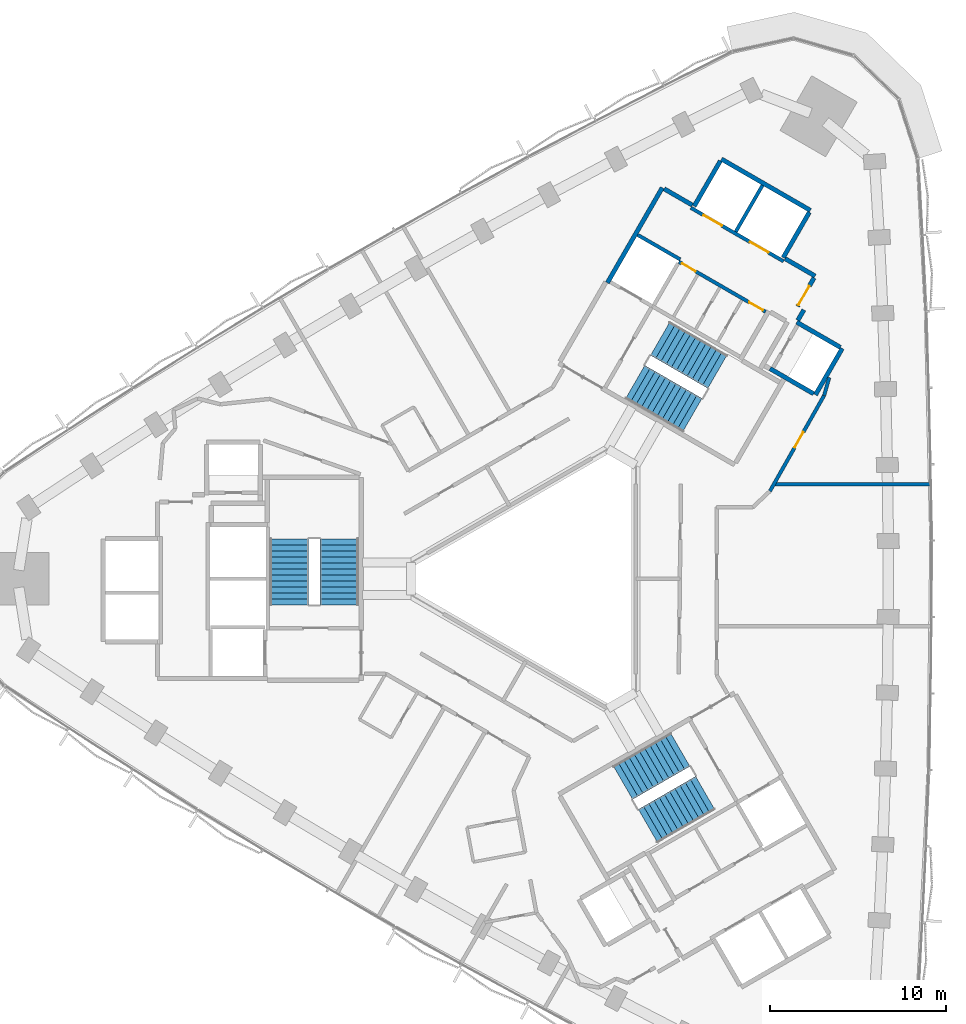
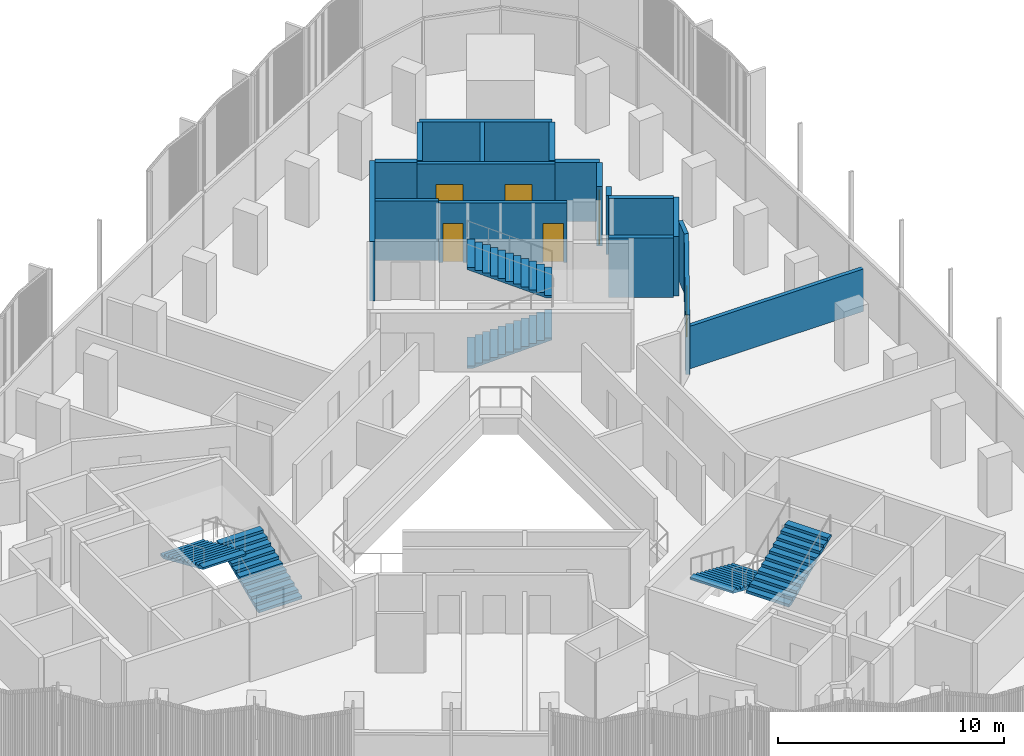
# One storey, part 11 of 14: 18 walls, 6 doors, 6 stair flights, 6 openings, 3 elements without a shape of their own.
"""IFC4 building model written with IfcOpenShell, lengths in metres."""

from ifc_helpers import new_model, si_unit, direction, frame, frame_2d, origin, place, context, subcontext, project, spatial, polyline, rectangle, outline, extrude, material, layer, layer_set, type_object, element, fill, aggregate, save


model = new_model("IFC4")

# Units and contexts
model_context = context("Model", 3, precision=1e-05, world=origin(), true_north=direction((0.0, 1.0)))
body_context = subcontext(model_context, "Body", "Model", "MODEL_VIEW")
ifc_project = project(units=[si_unit("LENGTHUNIT", "METRE"), si_unit("AREAUNIT", "SQUARE_METRE"), si_unit("VOLUMEUNIT", "CUBIC_METRE"), si_unit("PLANEANGLEUNIT", "RADIAN"), si_unit("MASSUNIT", "GRAM", prefix="KILO")], contexts=[model_context])

# Site, building, storey
site_placement = place(None, origin())
site = spatial("IfcSite", under=ifc_project, at=site_placement, CompositionType="ELEMENT")
building_placement = place(site_placement, origin())
building = spatial("IfcBuilding", under=site, at=building_placement, Name="Tamra Quay Hotel Tower", CompositionType="ELEMENT")
storey_placement = place(building_placement, frame((0.0, 0.0, 139.60009765625)))
storey = spatial("IfcBuildingStorey", under=building, at=storey_placement, Name="L34", CompositionType="ELEMENT", Elevation=139.60009765625)

# Wall, openings, doors
ifc_material_1 = material(Name="Concrete M70", Category="concrete")
ifc_layer_1 = layer(ifc_material_1, 0.199951171875)
ifc_layer_set_1 = layer_set([ifc_layer_1], Name="Concrete M70 core wall 200")
wall_type_1 = type_object("IfcWallType", Name="Concrete M70 core wall 200", PredefinedType="SHEAR", material=ifc_layer_set_1)
wall_1_placement = place(storey_placement, frame((13.209716796875, 18.07958984375, 0.0), z_axis=(0.0, 0.0, 1.0), x_axis=(-0.866030299012, 0.499991521122, 0.0)))
wall_1 = element("IfcWall", 1, at=wall_1_placement, inside=storey, type_object=wall_type_1, Name="CW2", PredefinedType="SHEAR", context=body_context, shape_type="SweptSolid", body=[
    extrude(rectangle(XDim=6.10009765625, YDim=0.199951171875, at=frame_2d((3.050048828125, 0.0))), origin(), (0.0, 0.0, 1.0), 3.199951171875),
])
opening_1_placement = place(wall_1_placement, frame((1.0, 0.0, 0.0)))
opening_1 = element("IfcOpeningElement", 2, at=opening_1_placement, cuts=wall_1, Name="Opening LD", PredefinedType="OPENING", context=body_context, shape_type="SweptSolid", body=[
    extrude(rectangle(XDim=1.199951171875, YDim=2.10009765625, at=frame_2d((0.60009765625, 1.050048828125))), frame((0.0, 0.10986328125, 0.0), z_axis=(0.0, -1.0, 0.0), x_axis=(1.0, 0.0, 0.0)), (0.0, 0.0, 1.0), 0.219970703125),
])
opening_2_placement = place(wall_1_placement, frame((4.05029296875, 0.0, 0.0)))
opening_2 = element("IfcOpeningElement", 3, at=opening_2_placement, cuts=wall_1, Name="Opening LD", PredefinedType="OPENING", context=body_context, shape_type="SweptSolid", body=[
    extrude(rectangle(XDim=1.199951171875, YDim=2.10009765625, at=frame_2d((0.60009765625, 1.050048828125))), frame((0.0, 0.10986328125, 0.0), z_axis=(0.0, -1.0, 0.0), x_axis=(1.0, 0.0, 0.0)), (0.0, 0.0, 1.0), 0.219970703125),
])
ifc_material_2 = material(Name="Landing door LD 1200 double door sliding")
door_type_1 = type_object("IfcDoorType", Name="Landing door LD 1200 double door sliding", OperationType="DOUBLE_DOOR_SLIDING", PredefinedType="DOOR", material=ifc_material_2)
door_1_placement = place(opening_1_placement, origin())
door_1 = element("IfcDoor", 4, at=door_1_placement, inside=storey, type_object=door_type_1, Name="LD", OperationType="DOUBLE_DOOR_SLIDING", OverallHeight=2.10009765625, OverallWidth=1.199951171875, PredefinedType="DOOR", context=body_context, shape_type="SweptSolid", body=[
    extrude(rectangle(XDim=1.199951171875, YDim=2.10009765625, at=frame_2d((0.60009765625, 1.050048828125))), frame((0.0, 0.02490234375, 0.0), z_axis=(0.0, -1.0, 0.0), x_axis=(1.0, 0.0, 0.0)), (0.0, 0.0, 1.0), 0.050048828125),
])
fill(opening_1, door_1)
door_2_placement = place(opening_2_placement, origin())
door_2 = element("IfcDoor", 5, at=door_2_placement, inside=storey, type_object=door_type_1, Name="LD", OperationType="DOUBLE_DOOR_SLIDING", OverallHeight=2.10009765625, OverallWidth=1.199951171875, PredefinedType="DOOR", context=body_context, shape_type="SweptSolid", body=[
    extrude(rectangle(XDim=1.199951171875, YDim=2.10009765625, at=frame_2d((0.60009765625, 1.050048828125))), frame((0.0, 0.02490234375, 0.0), z_axis=(0.0, -1.0, 0.0), x_axis=(1.0, 0.0, 0.0)), (0.0, 0.0, 1.0), 0.050048828125),
])
fill(opening_2, door_2)

wall_2_placement = place(storey_placement, frame((12.18505859375, 15.20703125, 0.0), z_axis=(0.0, 0.0, 1.0), x_axis=(-0.866020080793, 0.500009219579, 0.0)))
wall_2 = element("IfcWall", 6, at=wall_2_placement, inside=storey, type_object=wall_type_1, Name="CW2", PredefinedType="SHEAR", context=body_context, shape_type="SweptSolid", body=[
    extrude(rectangle(XDim=5.69921875, YDim=0.199951171875, at=frame_2d((2.849609375, 0.0))), origin(), (0.0, 0.0, 1.0), 3.199951171875),
])
opening_3_placement = place(wall_2_placement, frame((0.174072265625, 0.0, 0.0)))
opening_3 = element("IfcOpeningElement", 7, at=opening_3_placement, cuts=wall_2, Name="Opening D2", PredefinedType="OPENING", context=body_context, shape_type="SweptSolid", body=[
    extrude(rectangle(XDim=0.89990234375, YDim=2.10009765625, at=frame_2d((0.449951171875, 1.050048828125))), frame((0.0, 0.10986328125, 0.0), z_axis=(0.0, -1.0, 0.0), x_axis=(1.0, 0.0, 0.0)), (0.0, 0.0, 1.0), 0.219970703125),
])
opening_4_placement = place(wall_2_placement, frame((4.59912109375, 0.0, 0.0)))
opening_4 = element("IfcOpeningElement", 8, at=opening_4_placement, cuts=wall_2, Name="Opening D2", PredefinedType="OPENING", context=body_context, shape_type="SweptSolid", body=[
    extrude(rectangle(XDim=0.89990234375, YDim=2.10009765625, at=frame_2d((0.449951171875, 1.050048828125))), frame((0.0, 0.10986328125, 0.0), z_axis=(0.0, -1.0, 0.0), x_axis=(1.0, 0.0, 0.0)), (0.0, 0.0, 1.0), 0.219970703125),
])
ifc_material_3 = material(Name="Core door D2 900x2100 LH")
door_type_2 = type_object("IfcDoorType", Name="Core door D2 900x2100 LH", OperationType="NOTDEFINED", PredefinedType="DOOR", material=ifc_material_3)
door_3_placement = place(opening_3_placement, origin())
door_3 = element("IfcDoor", 9, at=door_3_placement, inside=storey, type_object=door_type_2, Name="D2", OperationType="SINGLE_SWING_LEFT", OverallHeight=2.10009765625, OverallWidth=0.89990234375, PredefinedType="DOOR", context=body_context, shape_type="SweptSolid", body=[
    extrude(rectangle(XDim=0.89990234375, YDim=2.10009765625, at=frame_2d((0.449951171875, 1.050048828125))), frame((0.0, 0.02490234375, 0.0), z_axis=(0.0, -1.0, 0.0), x_axis=(1.0, 0.0, 0.0)), (0.0, 0.0, 1.0), 0.050048828125),
])
fill(opening_3, door_3)
ifc_material_4 = material(Name="Core door D2 900x2100 RH")
door_type_3 = type_object("IfcDoorType", Name="Core door D2 900x2100 RH", OperationType="NOTDEFINED", PredefinedType="DOOR", material=ifc_material_4)
door_4_placement = place(opening_4_placement, origin())
door_4 = element("IfcDoor", 10, at=door_4_placement, inside=storey, type_object=door_type_3, Name="D2", OperationType="SINGLE_SWING_RIGHT", OverallHeight=2.10009765625, OverallWidth=0.89990234375, PredefinedType="DOOR", context=body_context, shape_type="SweptSolid", body=[
    extrude(rectangle(XDim=0.89990234375, YDim=2.10009765625, at=frame_2d((0.449951171875, 1.050048828125))), frame((0.0, 0.02490234375, 0.0), z_axis=(0.0, -1.0, 0.0), x_axis=(1.0, 0.0, 0.0)), (0.0, 0.0, 1.0), 0.050048828125),
])
fill(opening_4, door_4)

# Walls
wall_3_placement = place(storey_placement, frame((10.48876953125, 19.76708984375, 0.0), z_axis=(0.0, 0.0, 1.0), x_axis=(0.499946628782, 0.866056215479, 0.0)))
element("IfcWall", 11, at=wall_3_placement, inside=storey, type_object=wall_type_1, Name="CW2", PredefinedType="SHEAR", context=body_context, shape_type="SweptSolid", body=[
    extrude(rectangle(XDim=3.048095703125, YDim=0.199951171875, at=frame_2d((1.52392578125, 0.0))), origin(), (0.0, 0.0, 1.0), 3.199951171875),
])
wall_4_placement = place(storey_placement, frame((4.900634765625, 19.5859375, 0.0), z_axis=(0.0, 0.0, 1.0), x_axis=(0.866022890907, -0.500004352405, 0.0)))
element("IfcWall", 12, at=wall_4_placement, inside=storey, type_object=wall_type_1, Name="CW2", PredefinedType="SHEAR", context=body_context, shape_type="SweptSolid", body=[
    extrude(rectangle(XDim=2.798828125, YDim=0.199951171875, at=frame_2d((1.3994140625, 0.0))), origin(), (0.0, 0.0, 1.0), 3.199951171875),
])
ifc_layer_2 = layer(ifc_material_1, 0.25)
ifc_layer_set_2 = layer_set([ifc_layer_2], Name="Concrete M70 core wall 250")
wall_type_2 = type_object("IfcWallType", Name="Concrete M70 core wall 250", PredefinedType="SHEAR", material=ifc_layer_set_2)
wall_5_placement = place(storey_placement, frame((3.178955078125, 16.856201171875, 0.0), z_axis=(0.0, 0.0, 1.0), x_axis=(0.500004234368, 0.866022959057, 0.0)))
element("IfcWall", 13, at=wall_5_placement, inside=storey, type_object=wall_type_2, Name="CW1", PredefinedType="SHEAR", context=body_context, shape_type="SweptSolid", body=[
    extrude(rectangle(XDim=6.25, YDim=0.25, at=frame_2d((3.125, 0.0))), origin(), (0.0, 0.0, 1.0), 3.199951171875),
])
wall_6_placement = place(storey_placement, frame((9.672607421875, 23.9033203125, 0.0), z_axis=(0.0, 0.0, 1.0), x_axis=(0.86603616409, -0.499981362141, 0.0)))
element("IfcWall", 14, at=wall_6_placement, inside=storey, type_object=wall_type_2, Name="CW1", PredefinedType="SHEAR", context=body_context, shape_type="SweptSolid", body=[
    extrude(rectangle(XDim=5.849853515625, YDim=0.25, at=frame_2d((2.9248046875, 0.0))), origin(), (0.0, 0.0, 1.0), 3.199951171875),
])
for number, where, z_axis, x_axis, name in (
    (15, (8.12255859375, 21.21875, 0.0), (0.0, 0.0, 1.0), (0.499987686533, 0.866032512851, 0.0), "CW1"),
    (16, (14.67626953125, 20.869873046875, 0.0), (0.0, 0.0, 1.0), (-0.499987686533, -0.866032512851, 0.0), "CW1"),
):
    element("IfcWall", number, at=place(storey_placement, frame(where, z_axis=z_axis, x_axis=x_axis)), inside=storey, type_object=wall_type_2, Name=name, PredefinedType="SHEAR", context=body_context, shape_type="SweptSolid", body=[
        extrude(rectangle(XDim=2.974609375, YDim=0.25, at=frame_2d((1.4873046875, 0.0))), origin(), (0.0, 0.0, 1.0), 3.199951171875),
    ])
wall_7_placement = place(storey_placement, frame((16.552001953125, 13.118896484375, 0.0), z_axis=(0.0, 0.0, 1.0), x_axis=(-0.499978833458, -0.866037623948, 0.0)))
element("IfcWall", 17, at=wall_7_placement, inside=storey, type_object=wall_type_2, Name="CW1", PredefinedType="SHEAR", context=body_context, shape_type="SweptSolid", body=[
    extrude(rectangle(XDim=3.050048828125, YDim=0.25, at=frame_2d((1.52490234375, 0.0))), origin(), (0.0, 0.0, 1.0), 3.199951171875),
])
wall_8_placement = place(storey_placement, frame((14.91845703125, 10.540283203125, 0.0), z_axis=(0.0, 0.0, 1.0), x_axis=(-0.866063538972, 0.499933942099, 0.0)))
element("IfcWall", 18, at=wall_8_placement, inside=storey, type_object=wall_type_2, Name="CW1", PredefinedType="SHEAR", context=body_context, shape_type="SweptSolid", body=[
    extrude(rectangle(XDim=2.86474609375, YDim=0.25, at=frame_2d((1.432373046875, 0.0))), origin(), (0.0, 0.0, 1.0), 3.199951171875),
])
wall_9_placement = place(storey_placement, frame((13.962646484375, 14.61376953125, 0.0), z_axis=(0.0, 0.0, 1.0), x_axis=(0.866042235819, -0.499970844928, 0.0)))
element("IfcWall", 19, at=wall_9_placement, inside=storey, type_object=wall_type_2, Name="CW1", PredefinedType="SHEAR", context=body_context, shape_type="SweptSolid", body=[
    extrude(rectangle(XDim=2.864501953125, YDim=0.25, at=frame_2d((1.43212890625, 0.0))), origin(), (0.0, 0.0, 1.0), 3.199951171875),
])
wall_10_placement = place(storey_placement, frame((13.29736328125, 18.23095703125, 0.0), z_axis=(0.0, 0.0, 1.0), x_axis=(0.866043531843, -0.499968599967, 0.0)))
element("IfcWall", 20, at=wall_10_placement, inside=storey, type_object=wall_type_2, Name="CW1", PredefinedType="SHEAR", context=body_context, shape_type="SweptSolid", body=[
    extrude(rectangle(XDim=1.974853515625, YDim=0.25, at=frame_2d((0.9873046875, 0.0))), origin(), (0.0, 0.0, 1.0), 3.199951171875),
])
wall_11_placement = place(storey_placement, frame((6.41259765625, 22.2060546875, 0.0), z_axis=(0.0, 0.0, 1.0), x_axis=(0.866016279763, -0.500015802937, 0.0)))
element("IfcWall", 21, at=wall_11_placement, inside=storey, type_object=wall_type_2, Name="CW1", PredefinedType="SHEAR", context=body_context, shape_type="SweptSolid", body=[
    extrude(rectangle(XDim=1.84912109375, YDim=0.25, at=frame_2d((0.924560546875, 0.0))), origin(), (0.0, 0.0, 1.0), 3.199951171875),
])

# Wall, opening, door
wall_12_placement = place(storey_placement, frame((14.94482421875, 17.13525390625, 0.0), z_axis=(0.0, 0.0, 1.0), x_axis=(-0.499983108224, -0.866035156036, 0.0)))
wall_12 = element("IfcWall", 22, at=wall_12_placement, inside=storey, type_object=wall_type_2, Name="CW1", PredefinedType="SHEAR", context=body_context, shape_type="SweptSolid", body=[
    extrude(rectangle(XDim=1.86474609375, YDim=0.25, at=frame_2d((0.932373046875, 0.0))), origin(), (0.0, 0.0, 1.0), 3.199951171875),
])
opening_5_placement = place(wall_12_placement, frame((0.53466796875, 0.0, 0.0)))
opening_5 = element("IfcOpeningElement", 23, at=opening_5_placement, cuts=wall_12, Name="Opening FD3", PredefinedType="OPENING", context=body_context, shape_type="SweptSolid", body=[
    extrude(rectangle(XDim=1.25, YDim=2.10009765625, at=frame_2d((0.625, 1.050048828125))), frame((0.0, 0.135009765625, 0.0), z_axis=(0.0, -1.0, 0.0), x_axis=(1.0, 0.0, 0.0)), (0.0, 0.0, 1.0), 0.27001953125),
])
ifc_material_5 = material(Name="Core door FD3 1250x2100 LH")
door_type_4 = type_object("IfcDoorType", Name="Core door FD3 1250x2100 LH", OperationType="NOTDEFINED", PredefinedType="DOOR", material=ifc_material_5)
door_5_placement = place(opening_5_placement, origin())
door_5 = element("IfcDoor", 24, at=door_5_placement, inside=storey, type_object=door_type_4, Name="FD3", OperationType="SINGLE_SWING_LEFT", OverallHeight=2.10009765625, OverallWidth=1.25, PredefinedType="DOOR", context=body_context, shape_type="SweptSolid", body=[
    extrude(rectangle(XDim=1.25, YDim=2.10009765625, at=frame_2d((0.625, 1.050048828125))), frame((0.0, 0.02490234375, 0.0), z_axis=(0.0, -1.0, 0.0), x_axis=(1.0, 0.0, 0.0)), (0.0, 0.0, 1.0), 0.050048828125),
])
fill(opening_5, door_5)

# Wall
wall_13_placement = place(storey_placement, frame((14.36767578125, 15.3154296875, 0.0), z_axis=(0.0, 0.0, 1.0), x_axis=(-0.499897359611, -0.866084655132, 0.0)))
element("IfcWall", 25, at=wall_13_placement, inside=storey, type_object=wall_type_2, Name="CW1", PredefinedType="SHEAR", context=body_context, shape_type="SweptSolid", body=[
    extrude(rectangle(XDim=0.684814453125, YDim=0.25, at=frame_2d((0.34228515625, 0.0))), origin(), (0.0, 0.0, 1.0), 3.199951171875),
])

# Wall, opening, door
ifc_material_6 = material(Name="Partition corridor wall")
ifc_layer_3 = layer(ifc_material_6, 0.199951171875)
ifc_layer_set_3 = layer_set([ifc_layer_3], Name="Partition corridor wall")
wall_type_3 = type_object("IfcWallType", Name="Partition corridor wall", PredefinedType="PARTITIONING", material=ifc_layer_set_3)
wall_14_placement = place(storey_placement, frame((12.43310546875, 4.991943359375, 0.0), z_axis=(0.0, 0.0, 1.0), x_axis=(0.492740203499, 0.870176471675, 0.0)))
wall_14 = element("IfcWall", 26, at=wall_14_placement, inside=storey, type_object=wall_type_3, Name="W-C", PredefinedType="PARTITIONING", context=body_context, shape_type="SweptSolid", body=[
    extrude(rectangle(XDim=6.265380859375, YDim=0.199951171875, at=frame_2d((3.1328125, 0.0))), origin(), (0.0, 0.0, 1.0), 3.199951171875),
])
opening_6_placement = place(wall_14_placement, frame((2.85791015625, 0.0, 0.0)))
opening_6 = element("IfcOpeningElement", 27, at=opening_6_placement, cuts=wall_14, Name="Opening L34-D003", PredefinedType="OPENING", context=body_context, shape_type="SweptSolid", body=[
    extrude(rectangle(XDim=1.0, YDim=2.10009765625, at=frame_2d((0.5, 1.050048828125))), frame((0.0, 0.10986328125, 0.0), z_axis=(0.0, -1.0, 0.0), x_axis=(1.0, 0.0, 0.0)), (0.0, 0.0, 1.0), 0.219970703125),
])
ifc_material_7 = material(Name="Door guest room 1000x2100")
door_type_5 = type_object("IfcDoorType", Name="Door guest room 1000x2100", OperationType="NOTDEFINED", PredefinedType="DOOR", material=ifc_material_7)
door_6_placement = place(opening_6_placement, frame((1.0, 0.0, 0.0), z_axis=(0.0, 0.0, 1.0), x_axis=(-1.0, 0.0, 0.0)))
door_6 = element("IfcDoor", 28, at=door_6_placement, inside=storey, type_object=door_type_5, Name="L34-D003", OperationType="SINGLE_SWING_LEFT", OverallHeight=2.10009765625, OverallWidth=1.0, PredefinedType="DOOR", context=body_context, shape_type="SweptSolid", body=[
    extrude(rectangle(XDim=1.0, YDim=2.10009765625, at=frame_2d((0.5, 1.050048828125))), frame((0.0, 0.02490234375, 0.0), z_axis=(0.0, -1.0, 0.0), x_axis=(1.0, 0.0, 0.0)), (0.0, 0.0, 1.0), 0.050048828125),
])
fill(opening_6, door_6)

# Walls
wall_15_placement = place(storey_placement, frame((15.52001953125, 10.445068359375, 0.0), z_axis=(0.0, 0.0, 1.0), x_axis=(0.274143458758, 0.961688808306, 0.0)))
element("IfcWall", 29, at=wall_15_placement, inside=storey, type_object=wall_type_3, Name="W-C", PredefinedType="PARTITIONING", context=body_context, shape_type="SweptSolid", body=[
    extrude(rectangle(XDim=1.060546875, YDim=0.199951171875, at=frame_2d((0.5302734375, 0.0))), origin(), (0.0, 0.0, 1.0), 3.199951171875),
])
ifc_material_8 = material(Name="Partition party wall")
ifc_layer_4 = layer(ifc_material_8, 0.199951171875)
ifc_layer_set_4 = layer_set([ifc_layer_4], Name="Partition party wall")
wall_type_4 = type_object("IfcWallType", Name="Partition party wall", PredefinedType="PARTITIONING", material=ifc_layer_set_4)
wall_16_placement = place(storey_placement, frame((12.662109375, 5.39501953125, 0.0), z_axis=(0.0, 0.0, 1.0), x_axis=(1.0, 0.0, 0.0)))
element("IfcWall", 30, at=wall_16_placement, inside=storey, type_object=wall_type_4, Name="W-P", PredefinedType="PARTITIONING", context=body_context, shape_type="SweptSolid", body=[
    extrude(rectangle(XDim=8.926025390625, YDim=0.199951171875, at=frame_2d((4.462890625, 0.0))), origin(), (0.0, 0.0, 1.0), 2.2998046875),
])

# Stair, stair flights
ifc_material_9 = material(Name="Exit stair 2200 24 risers 150.0 going 342")
stair_type = type_object("IfcStairType", Name="Exit stair 2200 24 risers 150.0 going 342", PredefinedType="HALF_TURN_STAIR", material=ifc_material_9)
stair_1_placement = place(storey_placement, origin())
stair_1 = element("IfcStair", 31, at=stair_1_placement, inside=storey, type_object=stair_type, Name="L34 Exit stair ST3", PredefinedType="HALF_TURN_STAIR")
ifc_material_10 = material(Name="Exit stair flight 2200 12 risers 150.0")
stair_flight_type = type_object("IfcStairFlightType", Name="Exit stair flight 2200 12 risers 150.0", PredefinedType="STRAIGHT", material=ifc_material_10)
stair_flight_1_placement = place(storey_placement, frame((-12.082275390625, -1.47998046875, 0.0), z_axis=(0.0, 0.0, 1.0), x_axis=(0.0, 1.0, 0.0)))
stair_flight_1 = element("IfcStairFlight", 32, at=stair_flight_1_placement, type_object=stair_flight_type, Name="ST3 flight 1", NumberOfRisers=12, NumberOfTreads=11, PredefinedType="STRAIGHT", RiserHeight=0.15, TreadLength=0.342, context=body_context, shape_type="SweptSolid", body=[
    extrude(outline(polyline([(0.0, 0.0), (0.0, 0.14990234375), (0.342041015625, 0.14990234375), (0.342041015625, 0.300048828125), (0.68408203125, 0.300048828125), (0.68408203125, 0.449951171875), (1.02587890625, 0.449951171875), (1.02587890625, 0.60009765625), (1.367919921875, 0.60009765625), (1.367919921875, 0.75), (1.7099609375, 0.75), (1.7099609375, 0.89990234375), (2.052001953125, 0.89990234375), (2.052001953125, 1.050048828125), (2.39404296875, 1.050048828125), (2.39404296875, 1.199951171875), (2.736083984375, 1.199951171875), (2.736083984375, 1.35009765625), (3.077880859375, 1.35009765625), (3.077880859375, 1.5), (3.419921875, 1.5), (3.419921875, 1.64990234375), (3.761962890625, 1.64990234375), (3.761962890625, 1.800048828125), (3.761962890625, 1.540771484375), (0.249267578125, 0.0), (0.0, 0.0)])), frame((0.0, 1.10009765625, 0.0), z_axis=(0.0, -1.0, 0.0), x_axis=(1.0, 0.0, 0.0)), (0.0, 0.0, 1.0), 2.199951171875),
])
stair_flight_2_placement = place(storey_placement, frame((-14.94140625, 2.281982421875, 1.7998046875), z_axis=(0.0, 0.0, 1.0), x_axis=(0.0, -1.0, 0.0)))
stair_flight_2 = element("IfcStairFlight", 33, at=stair_flight_2_placement, type_object=stair_flight_type, Name="ST3 flight 2", NumberOfRisers=12, NumberOfTreads=11, PredefinedType="STRAIGHT", RiserHeight=0.15, TreadLength=0.342, context=body_context, shape_type="SweptSolid", body=[
    extrude(outline(polyline([(0.0, 0.0), (0.0, 0.14990234375), (0.342041015625, 0.14990234375), (0.342041015625, 0.300048828125), (0.68408203125, 0.300048828125), (0.68408203125, 0.449951171875), (1.02587890625, 0.449951171875), (1.02587890625, 0.60009765625), (1.367919921875, 0.60009765625), (1.367919921875, 0.75), (1.7099609375, 0.75), (1.7099609375, 0.89990234375), (2.052001953125, 0.89990234375), (2.052001953125, 1.050048828125), (2.39404296875, 1.050048828125), (2.39404296875, 1.199951171875), (2.736083984375, 1.199951171875), (2.736083984375, 1.35009765625), (3.077880859375, 1.35009765625), (3.077880859375, 1.5), (3.419921875, 1.5), (3.419921875, 1.64990234375), (3.761962890625, 1.64990234375), (3.761962890625, 1.800048828125), (3.761962890625, 1.540771484375), (0.249267578125, 0.0), (0.0, 0.0)])), frame((0.0, 1.10009765625, 0.0), z_axis=(0.0, -1.0, 0.0), x_axis=(1.0, 0.0, 0.0)), (0.0, 0.0, 1.0), 2.199951171875),
])
aggregate(stair_1, [stair_flight_1, stair_flight_2])

stair_2_placement = place(storey_placement, origin())
stair_2 = element("IfcStair", 34, at=stair_2_placement, inside=storey, type_object=stair_type, Name="L34 Exit stair ST1", PredefinedType="HALF_TURN_STAIR")
stair_flight_3_placement = place(storey_placement, frame((4.75927734375, 11.20361328125, 0.0), z_axis=(0.0, 0.0, 1.0), x_axis=(0.866025403784, -0.5, 0.0)))
stair_flight_3 = element("IfcStairFlight", 35, at=stair_flight_3_placement, type_object=stair_flight_type, Name="ST1 flight 1", NumberOfRisers=12, NumberOfTreads=11, PredefinedType="STRAIGHT", RiserHeight=0.15, TreadLength=0.342, context=body_context, shape_type="SweptSolid", body=[
    extrude(outline(polyline([(0.0, 0.0), (0.0, 0.14990234375), (0.342041015625, 0.14990234375), (0.342041015625, 0.300048828125), (0.68408203125, 0.300048828125), (0.68408203125, 0.449951171875), (1.02587890625, 0.449951171875), (1.02587890625, 0.60009765625), (1.367919921875, 0.60009765625), (1.367919921875, 0.75), (1.7099609375, 0.75), (1.7099609375, 0.89990234375), (2.052001953125, 0.89990234375), (2.052001953125, 1.050048828125), (2.39404296875, 1.050048828125), (2.39404296875, 1.199951171875), (2.736083984375, 1.199951171875), (2.736083984375, 1.35009765625), (3.077880859375, 1.35009765625), (3.077880859375, 1.5), (3.419921875, 1.5), (3.419921875, 1.64990234375), (3.761962890625, 1.64990234375), (3.761962890625, 1.800048828125), (3.761962890625, 1.540771484375), (0.249267578125, 0.0), (0.0, 0.0)])), frame((0.0, 1.10009765625, 0.0), z_axis=(0.0, -1.0, 0.0), x_axis=(1.0, 0.0, 0.0)), (0.0, 0.0, 1.0), 2.199951171875),
])
stair_flight_4_placement = place(storey_placement, frame((9.44677734375, 11.798583984375, 1.7998046875), z_axis=(0.0, 0.0, 1.0), x_axis=(-0.866025403784, 0.5, 0.0)))
stair_flight_4 = element("IfcStairFlight", 36, at=stair_flight_4_placement, type_object=stair_flight_type, Name="ST1 flight 2", NumberOfRisers=12, NumberOfTreads=11, PredefinedType="STRAIGHT", RiserHeight=0.15, TreadLength=0.342, context=body_context, shape_type="SweptSolid", body=[
    extrude(outline(polyline([(0.0, 0.0), (0.0, 0.14990234375), (0.342041015625, 0.14990234375), (0.342041015625, 0.300048828125), (0.68408203125, 0.300048828125), (0.68408203125, 0.449951171875), (1.02587890625, 0.449951171875), (1.02587890625, 0.60009765625), (1.367919921875, 0.60009765625), (1.367919921875, 0.75), (1.7099609375, 0.75), (1.7099609375, 0.89990234375), (2.052001953125, 0.89990234375), (2.052001953125, 1.050048828125), (2.39404296875, 1.050048828125), (2.39404296875, 1.199951171875), (2.736083984375, 1.199951171875), (2.736083984375, 1.35009765625), (3.077880859375, 1.35009765625), (3.077880859375, 1.5), (3.419921875, 1.5), (3.419921875, 1.64990234375), (3.761962890625, 1.64990234375), (3.761962890625, 1.800048828125), (3.761962890625, 1.540771484375), (0.249267578125, 0.0), (0.0, 0.0)])), frame((0.0, 1.10009765625, 0.0), z_axis=(0.0, -1.0, 0.0), x_axis=(1.0, 0.0, 0.0)), (0.0, 0.0, 1.0), 2.199951171875),
])
aggregate(stair_2, [stair_flight_3, stair_flight_4])

stair_3_placement = place(storey_placement, origin())
stair_3 = element("IfcStair", 37, at=stair_3_placement, inside=storey, type_object=stair_type, Name="L34 Exit stair ST2", PredefinedType="HALF_TURN_STAIR")
stair_flight_5_placement = place(storey_placement, frame((7.322998046875, -9.7236328125, 0.0), z_axis=(0.0, 0.0, 1.0), x_axis=(-0.866025403784, -0.5, 0.0)))
stair_flight_5 = element("IfcStairFlight", 38, at=stair_flight_5_placement, type_object=stair_flight_type, Name="ST2 flight 1", NumberOfRisers=12, NumberOfTreads=11, PredefinedType="STRAIGHT", RiserHeight=0.15, TreadLength=0.342, context=body_context, shape_type="SweptSolid", body=[
    extrude(outline(polyline([(0.0, 0.0), (0.0, 0.14990234375), (0.342041015625, 0.14990234375), (0.342041015625, 0.300048828125), (0.68408203125, 0.300048828125), (0.68408203125, 0.449951171875), (1.02587890625, 0.449951171875), (1.02587890625, 0.60009765625), (1.367919921875, 0.60009765625), (1.367919921875, 0.75), (1.7099609375, 0.75), (1.7099609375, 0.89990234375), (2.052001953125, 0.89990234375), (2.052001953125, 1.050048828125), (2.39404296875, 1.050048828125), (2.39404296875, 1.199951171875), (2.736083984375, 1.199951171875), (2.736083984375, 1.35009765625), (3.077880859375, 1.35009765625), (3.077880859375, 1.5), (3.419921875, 1.5), (3.419921875, 1.64990234375), (3.761962890625, 1.64990234375), (3.761962890625, 1.800048828125), (3.761962890625, 1.540771484375), (0.249267578125, 0.0), (0.0, 0.0)])), frame((0.0, 1.10009765625, 0.0), z_axis=(0.0, -1.0, 0.0), x_axis=(1.0, 0.0, 0.0)), (0.0, 0.0, 1.0), 2.199951171875),
])
stair_flight_6_placement = place(storey_placement, frame((5.494384765625, -14.08056640625, 1.7998046875), z_axis=(0.0, 0.0, 1.0), x_axis=(0.866025403784, 0.5, 0.0)))
stair_flight_6 = element("IfcStairFlight", 39, at=stair_flight_6_placement, type_object=stair_flight_type, Name="ST2 flight 2", NumberOfRisers=12, NumberOfTreads=11, PredefinedType="STRAIGHT", RiserHeight=0.15, TreadLength=0.342, context=body_context, shape_type="SweptSolid", body=[
    extrude(outline(polyline([(0.0, 0.0), (0.0, 0.14990234375), (0.342041015625, 0.14990234375), (0.342041015625, 0.300048828125), (0.68408203125, 0.300048828125), (0.68408203125, 0.449951171875), (1.02587890625, 0.449951171875), (1.02587890625, 0.60009765625), (1.367919921875, 0.60009765625), (1.367919921875, 0.75), (1.7099609375, 0.75), (1.7099609375, 0.89990234375), (2.052001953125, 0.89990234375), (2.052001953125, 1.050048828125), (2.39404296875, 1.050048828125), (2.39404296875, 1.199951171875), (2.736083984375, 1.199951171875), (2.736083984375, 1.35009765625), (3.077880859375, 1.35009765625), (3.077880859375, 1.5), (3.419921875, 1.5), (3.419921875, 1.64990234375), (3.761962890625, 1.64990234375), (3.761962890625, 1.800048828125), (3.761962890625, 1.540771484375), (0.249267578125, 0.0), (0.0, 0.0)])), frame((0.0, 1.10009765625, 0.0), z_axis=(0.0, -1.0, 0.0), x_axis=(1.0, 0.0, 0.0)), (0.0, 0.0, 1.0), 2.199951171875),
])
aggregate(stair_3, [stair_flight_5, stair_flight_6])

save(model, "model.ifc")
